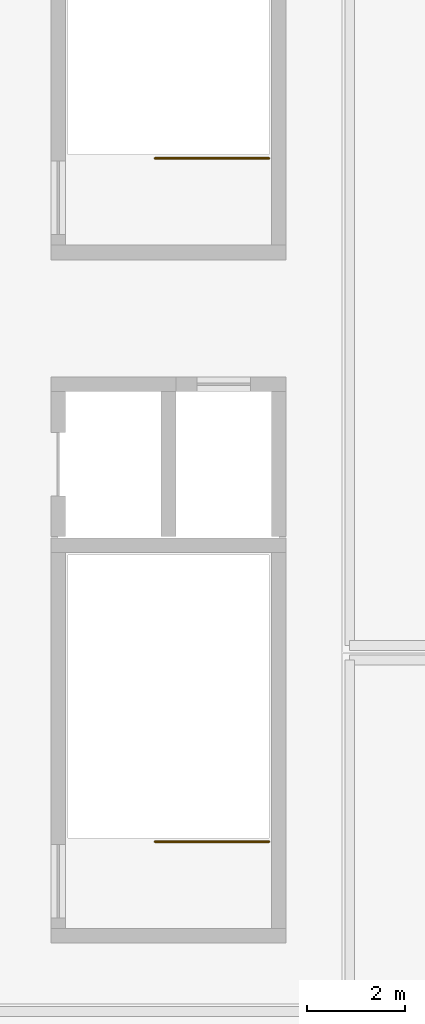
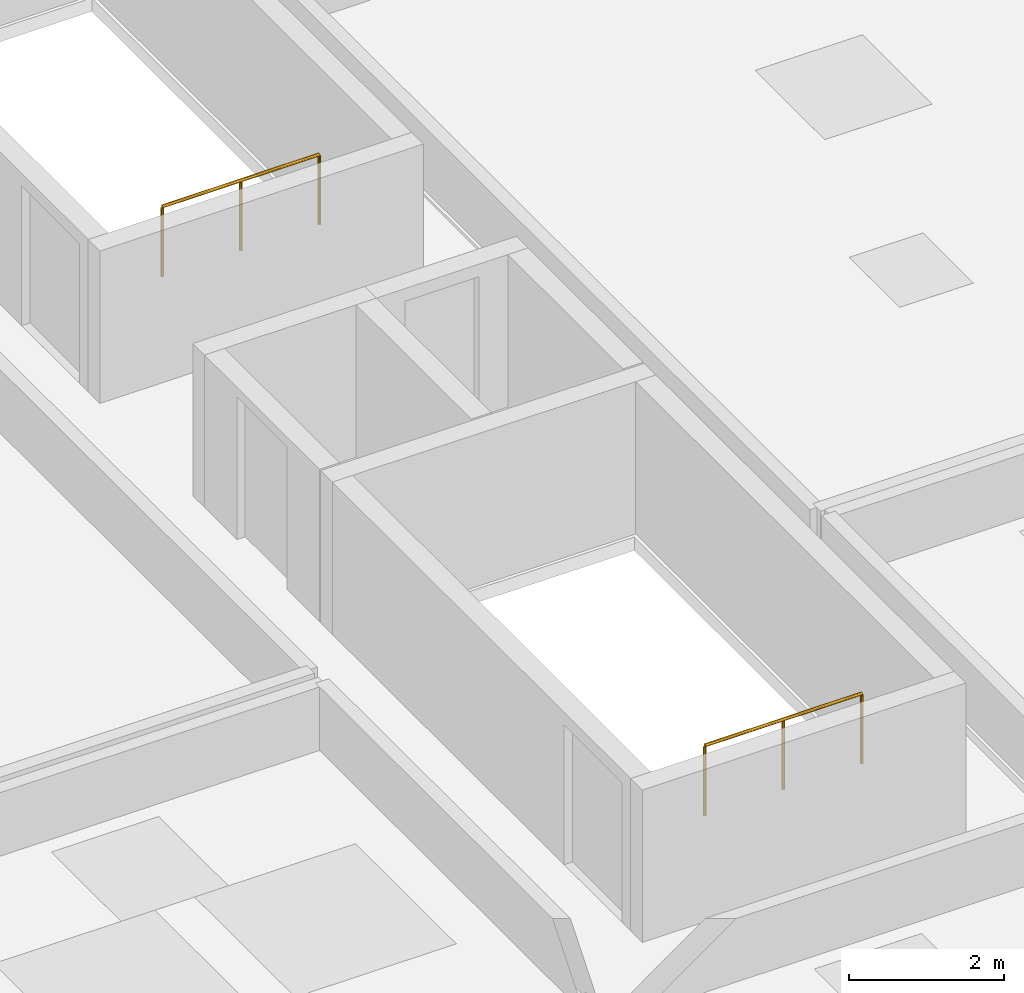
# One storey, part 5 of 5: 2 railings.
"""IFC4 building model written with IfcOpenShell, lengths in metres."""

from ifc_helpers import new_model, si_unit, direction, frame, origin, origin_2d, place, context, subcontext, project, spatial, circle, extrude, material, type_object, element, save


model = new_model("IFC4")

# Units and contexts
model_context = context("Model", 3, precision=1e-05, world=origin(), true_north=direction((0.0, 1.0)))
body_context = subcontext(model_context, "Body", "Model", "MODEL_VIEW")
ifc_project = project(units=[si_unit("LENGTHUNIT", "METRE"), si_unit("AREAUNIT", "SQUARE_METRE"), si_unit("VOLUMEUNIT", "CUBIC_METRE"), si_unit("PLANEANGLEUNIT", "RADIAN"), si_unit("MASSUNIT", "GRAM", prefix="KILO")], contexts=[model_context])

# Site, building, storey
site_placement = place(None, origin())
site = spatial("IfcSite", under=ifc_project, at=site_placement, CompositionType="ELEMENT")
building_placement = place(site_placement, origin())
building = spatial("IfcBuilding", under=site, at=building_placement, Name="Alvorim Cloister Faculty of Sciences", CompositionType="ELEMENT")
storey_placement = place(building_placement, frame((0.0, 0.0, 33.300048828125)))
storey = spatial("IfcBuildingStorey", under=building, at=storey_placement, Name="RF", CompositionType="ELEMENT", Elevation=33.300048828125)

# Railings
ifc_material = material(Name="Galvanised Painted Steel", Category="steel")
railing_type = type_object("IfcRailingType", Name="RL-STR-GUARD", PredefinedType="GUARDRAIL", material=ifc_material)
for number, where, name in (
    (1, (20.1201171875, 17.72998046875, 0.0), "RF ST-01 top well guard 1"),
    (2, (20.1201171875, 31.72998046875, 0.0), "RF ST-02 top well guard 1"),
):
    element("IfcRailing", number, at=place(storey_placement, frame(where)), inside=storey, type_object=railing_type, Name=name, PredefinedType="GUARDRAIL", context=body_context, shape_type="SweptSolid", body=[
        extrude(circle(Radius=0.02392578125, at=origin_2d()), frame((0.0, 0.0, 1.09619140625), z_axis=(-1.0, 0.0, 0.0), x_axis=(0.0, -1.0, 0.0)), (0.0, 0.0, 1.0), 2.340087890625),
        extrude(circle(Radius=0.02099609375, at=origin_2d()), origin(), (0.0, 0.0, 1.0), 1.072021484375),
        extrude(circle(Radius=0.02099609375, at=origin_2d()), frame((-1.169921875, 0.0, 0.0)), (0.0, 0.0, 1.0), 1.072021484375),
        extrude(circle(Radius=0.02099609375, at=origin_2d()), frame((-2.340087890625, 0.0, 0.0)), (0.0, 0.0, 1.0), 1.072021484375),
    ])

save(model, "model.ifc")
